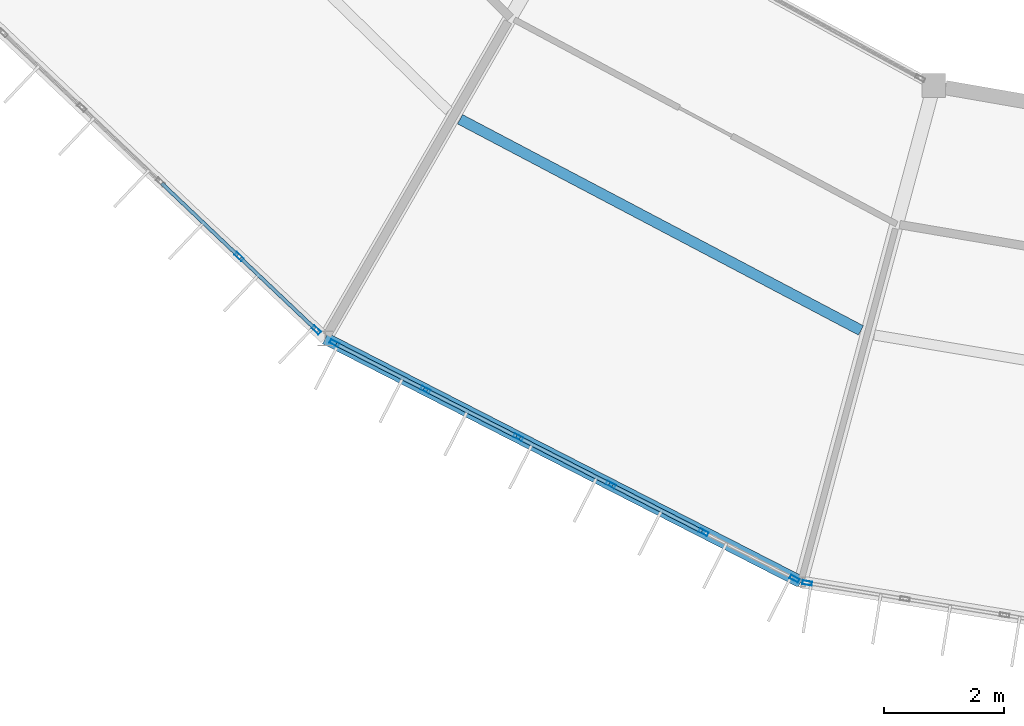
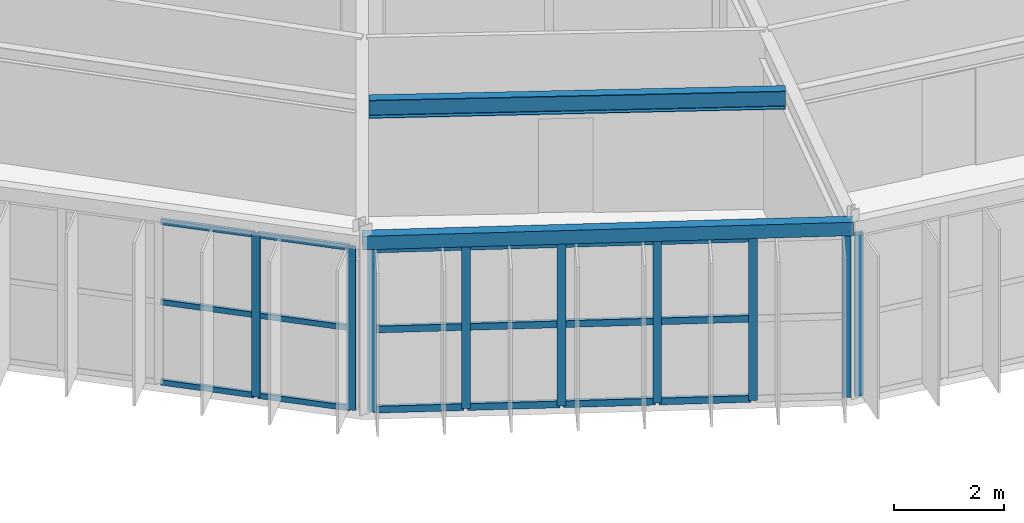
# One storey, part 31 of 157: 27 members, 2 beams, 3 elements without a shape of their own.
"""IFC4 building model written with IfcOpenShell, lengths in metres."""

from ifc_helpers import new_model, si_unit, direction, frame, origin, origin_2d, place, context, subcontext, project, spatial, hollow_rectangle, i_section, extrude, material, material_profile, profile_set, type_object, element, aggregate, save


model = new_model("IFC4")

# Units and contexts
model_context = context("Model", 3, precision=1e-05, world=origin(), true_north=direction((0.0, 1.0)))
body_context = subcontext(model_context, "Body", "Model", "MODEL_VIEW")
ifc_project = project(units=[si_unit("LENGTHUNIT", "METRE"), si_unit("AREAUNIT", "SQUARE_METRE"), si_unit("VOLUMEUNIT", "CUBIC_METRE"), si_unit("PLANEANGLEUNIT", "RADIAN"), si_unit("MASSUNIT", "GRAM", prefix="KILO")], contexts=[model_context])

# Site, building, storey
site_placement = place(None, origin())
site = spatial("IfcSite", under=ifc_project, at=site_placement, CompositionType="ELEMENT")
building_placement = place(site_placement, origin())
building = spatial("IfcBuilding", under=site, at=building_placement, Name="Karori Crest Natural Sciences Institute", CompositionType="ELEMENT")
storey_placement = place(building_placement, frame((0.0, 0.0, 13.300048828125)))
storey = spatial("IfcBuildingStorey", under=building, at=storey_placement, Name="L03", CompositionType="ELEMENT", Elevation=13.300048828125)

# Beams
ifc_material_1 = material(Name="Hollow structural steel AS/NZS 1163 Grade C350", Category="steel")
ifc_material_profile_1 = material_profile(ifc_material_1, hollow_rectangle(XDim=0.199951171875, YDim=0.300048828125, WallThickness=0.010009765625, at=origin_2d()), Name="RHS300x200x10")
ifc_profile_set_1 = profile_set([ifc_material_profile_1], Name="Hollow structural steel AS/NZS 1163 Grade C350")
beam_type_1 = type_object("IfcBeamType", Name="BT-15", PredefinedType="SPANDREL", material=ifc_profile_set_1)
beam_1_placement = place(storey_placement, frame((49.89990234375, 14.566162109375, 3.7900390625), z_axis=(0.890071733872, -0.455820478436, 0.0), x_axis=(0.455820478436, 0.890071733872, 0.0)))
element("IfcBeam", 1, at=beam_1_placement, inside=storey, type_object=beam_type_1, Name="Beam B-0420", PredefinedType="SPANDREL", context=body_context, shape_type="SweptSolid", body=[
    extrude(hollow_rectangle(XDim=0.199951171875, YDim=0.300048828125, WallThickness=0.010009765625, at=origin_2d()), origin(), (0.0, 0.0, 1.0), 8.94189453125),
])
ifc_material_2 = material(Name="Structural steel AS/NZS 3679.1 Grade 350", Category="steel")
ifc_material_profile_2 = material_profile(ifc_material_2, i_section(OverallWidth=0.177978515625, OverallDepth=0.403076171875, WebThickness=0.007568359375, FlangeThickness=0.010986328125, FilletRadius=0.010986328125, at=origin_2d()), Name="410UB53.7")
ifc_profile_set_2 = profile_set([ifc_material_profile_2], Name="Structural steel AS/NZS 3679.1 Grade 350")
beam_type_2 = type_object("IfcBeamType", Name="BT-29", PredefinedType="BEAM", material=ifc_profile_set_2)
beam_2_placement = place(storey_placement, frame((52.15625, 18.234130859375, 3.738525390625), z_axis=(0.884748465601, -0.466068828197, 0.0), x_axis=(0.466068828197, 0.884748465601, 0.0)))
element("IfcBeam", 2, at=beam_2_placement, inside=storey, type_object=beam_type_2, Name="Beam B-0423", PredefinedType="BEAM", context=body_context, shape_type="SweptSolid", body=[
    extrude(i_section(OverallWidth=0.177978515625, OverallDepth=0.403076171875, WebThickness=0.007568359375, FlangeThickness=0.010986328125, FilletRadius=0.010986328125, at=origin_2d()), origin(), (0.0, 0.0, 1.0), 7.58349609375),
])

# Curtain wall, members
ifc_material_3 = material(Name="Anodised architectural aluminium 6063-T6", Category="aluminium")
curtain_wall_type_1 = type_object("IfcCurtainWallType", Name="CWT-06", PredefinedType="NOTDEFINED", material=ifc_material_3)
curtain_wall_1_placement = place(storey_placement, origin())
curtain_wall_1 = element("IfcCurtainWall", 3, at=curtain_wall_1_placement, inside=storey, type_object=curtain_wall_type_1, Name="Curtain wall CW-0123", PredefinedType="NOTDEFINED")
ifc_material_profile_3 = material_profile(ifc_material_3, hollow_rectangle(XDim=0.06494140625, YDim=0.159912109375, WallThickness=0.00390625, at=origin_2d()), Name="CWM160x65x4")
ifc_profile_set_3 = profile_set([ifc_material_profile_3], Name="Anodised architectural aluminium 6063-T6")
member_type_1 = type_object("IfcMemberType", Name="CWM-01", PredefinedType="MULLION", material=ifc_profile_set_3)
member_1_placement = place(storey_placement, frame((49.750732421875, 14.707763671875, 0.0), z_axis=(0.0, 0.0, 1.0), x_axis=(-0.688252251648, -0.725471459192, 0.0)))
member_1 = element("IfcMember", 4, at=member_1_placement, type_object=member_type_1, Name="CW-0123 mullion 1", PredefinedType="MULLION", context=body_context, shape_type="SweptSolid", body=[
    extrude(hollow_rectangle(XDim=0.06494140625, YDim=0.159912109375, WallThickness=0.00390625, at=origin_2d()), origin(), (0.0, 0.0, 1.0), 3.625),
])
member_2_placement = place(storey_placement, frame((48.4580078125, 15.934326171875, 0.0), z_axis=(0.0, 0.0, 1.0), x_axis=(-0.688252251648, -0.725471459192, 0.0)))
member_2 = element("IfcMember", 5, at=member_2_placement, type_object=member_type_1, Name="CW-0123 mullion 2", PredefinedType="MULLION", context=body_context, shape_type="SweptSolid", body=[
    extrude(hollow_rectangle(XDim=0.06494140625, YDim=0.159912109375, WallThickness=0.00390625, at=origin_2d()), origin(), (0.0, 0.0, 1.0), 3.625),
])

curtain_wall_type_2 = type_object("IfcCurtainWallType", Name="CWT-07", PredefinedType="NOTDEFINED", material=ifc_material_3)
curtain_wall_2_placement = place(storey_placement, origin())
curtain_wall_2 = element("IfcCurtainWall", 6, at=curtain_wall_2_placement, inside=storey, type_object=curtain_wall_type_2, Name="Curtain wall CW-0124", PredefinedType="NOTDEFINED")
member_3_placement = place(storey_placement, frame((57.7548828125, 10.54345703125, 0.0), z_axis=(0.0, 0.0, 1.0), x_axis=(-0.455828878252, -0.890067432138, 0.0)))
member_3 = element("IfcMember", 7, at=member_3_placement, type_object=member_type_1, Name="CW-0124 mullion 1", PredefinedType="MULLION", context=body_context, shape_type="SweptSolid", body=[
    extrude(hollow_rectangle(XDim=0.06494140625, YDim=0.159912109375, WallThickness=0.00390625, at=origin_2d()), origin(), (0.0, 0.0, 1.0), 3.625),
])
member_4_placement = place(storey_placement, frame((56.232177734375, 11.323486328125, 0.0), z_axis=(0.0, 0.0, 1.0), x_axis=(-0.455828878252, -0.890067432138, 0.0)))
member_4 = element("IfcMember", 8, at=member_4_placement, type_object=member_type_1, Name="CW-0124 mullion 2", PredefinedType="MULLION", context=body_context, shape_type="SweptSolid", body=[
    extrude(hollow_rectangle(XDim=0.06494140625, YDim=0.159912109375, WallThickness=0.00390625, at=origin_2d()), origin(), (0.0, 0.0, 1.0), 3.625),
])
member_5_placement = place(storey_placement, frame((54.680419921875, 12.1181640625, 0.0), z_axis=(0.0, 0.0, 1.0), x_axis=(-0.455828878252, -0.890067432138, 0.0)))
member_5 = element("IfcMember", 9, at=member_5_placement, type_object=member_type_1, Name="CW-0124 mullion 3", PredefinedType="MULLION", context=body_context, shape_type="SweptSolid", body=[
    extrude(hollow_rectangle(XDim=0.06494140625, YDim=0.159912109375, WallThickness=0.00390625, at=origin_2d()), origin(), (0.0, 0.0, 1.0), 3.625),
])
member_6_placement = place(storey_placement, frame((53.128662109375, 12.912841796875, 0.0), z_axis=(0.0, 0.0, 1.0), x_axis=(-0.455828878252, -0.890067432138, 0.0)))
member_6 = element("IfcMember", 10, at=member_6_placement, type_object=member_type_1, Name="CW-0124 mullion 4", PredefinedType="MULLION", context=body_context, shape_type="SweptSolid", body=[
    extrude(hollow_rectangle(XDim=0.06494140625, YDim=0.159912109375, WallThickness=0.00390625, at=origin_2d()), origin(), (0.0, 0.0, 1.0), 3.625),
])
member_7_placement = place(storey_placement, frame((51.576904296875, 13.70751953125, 0.0), z_axis=(0.0, 0.0, 1.0), x_axis=(-0.455828878252, -0.890067432138, 0.0)))
member_7 = element("IfcMember", 11, at=member_7_placement, type_object=member_type_1, Name="CW-0124 mullion 5", PredefinedType="MULLION", context=body_context, shape_type="SweptSolid", body=[
    extrude(hollow_rectangle(XDim=0.06494140625, YDim=0.159912109375, WallThickness=0.00390625, at=origin_2d()), origin(), (0.0, 0.0, 1.0), 3.625),
])
member_8_placement = place(storey_placement, frame((50.05419921875, 14.4873046875, 0.0), z_axis=(0.0, 0.0, 1.0), x_axis=(-0.455828878252, -0.890067432138, 0.0)))
member_8 = element("IfcMember", 12, at=member_8_placement, type_object=member_type_1, Name="CW-0124 mullion 6", PredefinedType="MULLION", context=body_context, shape_type="SweptSolid", body=[
    extrude(hollow_rectangle(XDim=0.06494140625, YDim=0.159912109375, WallThickness=0.00390625, at=origin_2d()), origin(), (0.0, 0.0, 1.0), 3.625),
])

# Curtain wall, member
curtain_wall_type_3 = type_object("IfcCurtainWallType", Name="CWT-08", PredefinedType="NOTDEFINED", material=ifc_material_3)
curtain_wall_3_placement = place(storey_placement, origin())
curtain_wall_3 = element("IfcCurtainWall", 13, at=curtain_wall_3_placement, inside=storey, type_object=curtain_wall_type_3, Name="Curtain wall CW-0126", PredefinedType="NOTDEFINED")
member_9_placement = place(storey_placement, frame((57.966064453125, 10.472900390625, 0.0), z_axis=(0.0, 0.0, 1.0), x_axis=(-0.160655493101, -0.987010543275, 0.0)))
member_9 = element("IfcMember", 14, at=member_9_placement, type_object=member_type_1, Name="CW-0126 mullion 6", PredefinedType="MULLION", context=body_context, shape_type="SweptSolid", body=[
    extrude(hollow_rectangle(XDim=0.06494140625, YDim=0.159912109375, WallThickness=0.00390625, at=origin_2d()), origin(), (0.0, 0.0, 1.0), 3.625),
])
aggregate(curtain_wall_3, [member_9])

# Member
ifc_material_profile_4 = material_profile(ifc_material_3, hollow_rectangle(XDim=0.06005859375, YDim=0.1201171875, WallThickness=0.00390625, at=origin_2d()), Name="CWT120x60x4")
ifc_profile_set_4 = profile_set([ifc_material_profile_4], Name="Anodised architectural aluminium 6063-T6")
member_type_2 = type_object("IfcMemberType", Name="CWT-TR1", PredefinedType="USERDEFINED", material=ifc_profile_set_4)
member_10_placement = place(storey_placement, frame((49.727294921875, 14.72998046875, 0.030029296875), z_axis=(-0.725485539939, 0.68823740914, 0.0), x_axis=(-0.68823740914, -0.725485539939, 0.0)))
member_10 = element("IfcMember", 15, at=member_10_placement, type_object=member_type_2, Name="CW-0123 transom 1.1", ObjectType="TRANSOM", PredefinedType="USERDEFINED", context=body_context, shape_type="SweptSolid", body=[
    extrude(hollow_rectangle(XDim=0.06005859375, YDim=0.1201171875, WallThickness=0.00390625, at=origin_2d()), origin(), (0.0, 0.0, 1.0), 1.71728515625),
])

member_11_placement = place(storey_placement, frame((49.727294921875, 14.72998046875, 1.8125), z_axis=(-0.725485539939, 0.68823740914, 0.0), x_axis=(-0.68823740914, -0.725485539939, 0.0)))
member_11 = element("IfcMember", 16, at=member_11_placement, type_object=member_type_2, Name="CW-0123 transom 1.2", ObjectType="TRANSOM", PredefinedType="USERDEFINED", context=body_context, shape_type="SweptSolid", body=[
    extrude(hollow_rectangle(XDim=0.06005859375, YDim=0.1201171875, WallThickness=0.00390625, at=origin_2d()), origin(), (0.0, 0.0, 1.0), 1.71728515625),
])

member_12_placement = place(storey_placement, frame((49.727294921875, 14.72998046875, 3.594970703125), z_axis=(-0.725485539939, 0.68823740914, 0.0), x_axis=(-0.68823740914, -0.725485539939, 0.0)))
member_12 = element("IfcMember", 17, at=member_12_placement, type_object=member_type_2, Name="CW-0123 transom 1.3", ObjectType="TRANSOM", PredefinedType="USERDEFINED", context=body_context, shape_type="SweptSolid", body=[
    extrude(hollow_rectangle(XDim=0.06005859375, YDim=0.1201171875, WallThickness=0.00390625, at=origin_2d()), origin(), (0.0, 0.0, 1.0), 1.71728515625),
])

member_13_placement = place(storey_placement, frame((48.434326171875, 15.95654296875, 0.030029296875), z_axis=(-0.725420823959, 0.688305621194, 0.0), x_axis=(-0.688305621194, -0.725420823959, 0.0)))
member_13 = element("IfcMember", 18, at=member_13_placement, type_object=member_type_2, Name="CW-0123 transom 2.1", ObjectType="TRANSOM", PredefinedType="USERDEFINED", context=body_context, shape_type="SweptSolid", body=[
    extrude(hollow_rectangle(XDim=0.06005859375, YDim=0.1201171875, WallThickness=0.00390625, at=origin_2d()), origin(), (0.0, 0.0, 1.0), 1.749755859375),
])

member_14_placement = place(storey_placement, frame((48.434326171875, 15.95654296875, 1.8125), z_axis=(-0.725420823959, 0.688305621194, 0.0), x_axis=(-0.688305621194, -0.725420823959, 0.0)))
member_14 = element("IfcMember", 19, at=member_14_placement, type_object=member_type_2, Name="CW-0123 transom 2.2", ObjectType="TRANSOM", PredefinedType="USERDEFINED", context=body_context, shape_type="SweptSolid", body=[
    extrude(hollow_rectangle(XDim=0.06005859375, YDim=0.1201171875, WallThickness=0.00390625, at=origin_2d()), origin(), (0.0, 0.0, 1.0), 1.749755859375),
])

member_15_placement = place(storey_placement, frame((48.434326171875, 15.95654296875, 3.594970703125), z_axis=(-0.725420823959, 0.688305621194, 0.0), x_axis=(-0.688305621194, -0.725420823959, 0.0)))
member_15 = element("IfcMember", 20, at=member_15_placement, type_object=member_type_2, Name="CW-0123 transom 2.3", ObjectType="TRANSOM", PredefinedType="USERDEFINED", context=body_context, shape_type="SweptSolid", body=[
    extrude(hollow_rectangle(XDim=0.06005859375, YDim=0.1201171875, WallThickness=0.00390625, at=origin_2d()), origin(), (0.0, 0.0, 1.0), 1.749755859375),
])

aggregate(curtain_wall_1, [member_1, member_2, member_10, member_11, member_12, member_13, member_14, member_15])

ifc_material_profile_5 = material_profile(ifc_material_3, hollow_rectangle(XDim=0.06494140625, YDim=0.14990234375, WallThickness=0.00390625, at=origin_2d()), Name="CWT150x65x4")
ifc_profile_set_5 = profile_set([ifc_material_profile_5], Name="Anodised architectural aluminium 6063-T6")
member_type_3 = type_object("IfcMemberType", Name="CWT-TR2", PredefinedType="USERDEFINED", material=ifc_profile_set_5)
member_16_placement = place(storey_placement, frame((56.203125, 11.338134765625, 0.032470703125), z_axis=(-0.890050562189, 0.455861817601, 0.0), x_axis=(-0.455861817601, -0.890050562189, 0.0)))
member_16 = element("IfcMember", 21, at=member_16_placement, type_object=member_type_3, Name="CW-0124 transom 2.1", ObjectType="TRANSOM", PredefinedType="USERDEFINED", context=body_context, shape_type="SweptSolid", body=[
    extrude(hollow_rectangle(XDim=0.06494140625, YDim=0.14990234375, WallThickness=0.00390625, at=origin_2d()), origin(), (0.0, 0.0, 1.0), 1.678466796875),
])

member_17_placement = place(storey_placement, frame((56.203125, 11.338134765625, 1.8125), z_axis=(-0.890050562189, 0.455861817601, 0.0), x_axis=(-0.455861817601, -0.890050562189, 0.0)))
member_17 = element("IfcMember", 22, at=member_17_placement, type_object=member_type_3, Name="CW-0124 transom 2.2", ObjectType="TRANSOM", PredefinedType="USERDEFINED", context=body_context, shape_type="SweptSolid", body=[
    extrude(hollow_rectangle(XDim=0.06494140625, YDim=0.14990234375, WallThickness=0.00390625, at=origin_2d()), origin(), (0.0, 0.0, 1.0), 1.678466796875),
])

member_18_placement = place(storey_placement, frame((56.203125, 11.338134765625, 3.592529296875), z_axis=(-0.890050562189, 0.455861817601, 0.0), x_axis=(-0.455861817601, -0.890050562189, 0.0)))
member_18 = element("IfcMember", 23, at=member_18_placement, type_object=member_type_3, Name="CW-0124 transom 2.3", ObjectType="TRANSOM", PredefinedType="USERDEFINED", context=body_context, shape_type="SweptSolid", body=[
    extrude(hollow_rectangle(XDim=0.06494140625, YDim=0.14990234375, WallThickness=0.00390625, at=origin_2d()), origin(), (0.0, 0.0, 1.0), 1.678466796875),
])

member_19_placement = place(storey_placement, frame((54.6513671875, 12.1328125, 0.032470703125), z_axis=(-0.890050562189, 0.455861817601, 0.0), x_axis=(-0.455861817601, -0.890050562189, 0.0)))
member_19 = element("IfcMember", 24, at=member_19_placement, type_object=member_type_3, Name="CW-0124 transom 3.1", ObjectType="TRANSOM", PredefinedType="USERDEFINED", context=body_context, shape_type="SweptSolid", body=[
    extrude(hollow_rectangle(XDim=0.06494140625, YDim=0.14990234375, WallThickness=0.00390625, at=origin_2d()), origin(), (0.0, 0.0, 1.0), 1.678466796875),
])

member_20_placement = place(storey_placement, frame((54.6513671875, 12.1328125, 1.8125), z_axis=(-0.890050562189, 0.455861817601, 0.0), x_axis=(-0.455861817601, -0.890050562189, 0.0)))
member_20 = element("IfcMember", 25, at=member_20_placement, type_object=member_type_3, Name="CW-0124 transom 3.2", ObjectType="TRANSOM", PredefinedType="USERDEFINED", context=body_context, shape_type="SweptSolid", body=[
    extrude(hollow_rectangle(XDim=0.06494140625, YDim=0.14990234375, WallThickness=0.00390625, at=origin_2d()), origin(), (0.0, 0.0, 1.0), 1.678466796875),
])

member_21_placement = place(storey_placement, frame((54.6513671875, 12.1328125, 3.592529296875), z_axis=(-0.890050562189, 0.455861817601, 0.0), x_axis=(-0.455861817601, -0.890050562189, 0.0)))
member_21 = element("IfcMember", 26, at=member_21_placement, type_object=member_type_3, Name="CW-0124 transom 3.3", ObjectType="TRANSOM", PredefinedType="USERDEFINED", context=body_context, shape_type="SweptSolid", body=[
    extrude(hollow_rectangle(XDim=0.06494140625, YDim=0.14990234375, WallThickness=0.00390625, at=origin_2d()), origin(), (0.0, 0.0, 1.0), 1.678466796875),
])

member_22_placement = place(storey_placement, frame((53.099609375, 12.927490234375, 0.032470703125), z_axis=(-0.890020328927, 0.455920841919, 0.0), x_axis=(-0.455920841919, -0.890020328927, 0.0)))
member_22 = element("IfcMember", 27, at=member_22_placement, type_object=member_type_3, Name="CW-0124 transom 4.1", ObjectType="TRANSOM", PredefinedType="USERDEFINED", context=body_context, shape_type="SweptSolid", body=[
    extrude(hollow_rectangle(XDim=0.06494140625, YDim=0.14990234375, WallThickness=0.00390625, at=origin_2d()), origin(), (0.0, 0.0, 1.0), 1.67822265625),
])

member_23_placement = place(storey_placement, frame((53.099609375, 12.927490234375, 1.8125), z_axis=(-0.890020328927, 0.455920841919, 0.0), x_axis=(-0.455920841919, -0.890020328927, 0.0)))
member_23 = element("IfcMember", 28, at=member_23_placement, type_object=member_type_3, Name="CW-0124 transom 4.2", ObjectType="TRANSOM", PredefinedType="USERDEFINED", context=body_context, shape_type="SweptSolid", body=[
    extrude(hollow_rectangle(XDim=0.06494140625, YDim=0.14990234375, WallThickness=0.00390625, at=origin_2d()), origin(), (0.0, 0.0, 1.0), 1.67822265625),
])

member_24_placement = place(storey_placement, frame((53.099609375, 12.927490234375, 3.592529296875), z_axis=(-0.890020328927, 0.455920841919, 0.0), x_axis=(-0.455920841919, -0.890020328927, 0.0)))
member_24 = element("IfcMember", 29, at=member_24_placement, type_object=member_type_3, Name="CW-0124 transom 4.3", ObjectType="TRANSOM", PredefinedType="USERDEFINED", context=body_context, shape_type="SweptSolid", body=[
    extrude(hollow_rectangle(XDim=0.06494140625, YDim=0.14990234375, WallThickness=0.00390625, at=origin_2d()), origin(), (0.0, 0.0, 1.0), 1.67822265625),
])

member_25_placement = place(storey_placement, frame((51.548095703125, 13.72216796875, 0.032470703125), z_axis=(-0.890084461025, 0.455795625518, 0.0), x_axis=(-0.455795625518, -0.890084461025, 0.0)))
member_25 = element("IfcMember", 30, at=member_25_placement, type_object=member_type_3, Name="CW-0124 transom 5.1", ObjectType="TRANSOM", PredefinedType="USERDEFINED", context=body_context, shape_type="SweptSolid", body=[
    extrude(hollow_rectangle(XDim=0.06494140625, YDim=0.14990234375, WallThickness=0.00390625, at=origin_2d()), origin(), (0.0, 0.0, 1.0), 1.64599609375),
])

member_26_placement = place(storey_placement, frame((51.548095703125, 13.72216796875, 1.8125), z_axis=(-0.890084461025, 0.455795625518, 0.0), x_axis=(-0.455795625518, -0.890084461025, 0.0)))
member_26 = element("IfcMember", 31, at=member_26_placement, type_object=member_type_3, Name="CW-0124 transom 5.2", ObjectType="TRANSOM", PredefinedType="USERDEFINED", context=body_context, shape_type="SweptSolid", body=[
    extrude(hollow_rectangle(XDim=0.06494140625, YDim=0.14990234375, WallThickness=0.00390625, at=origin_2d()), origin(), (0.0, 0.0, 1.0), 1.64599609375),
])

member_27_placement = place(storey_placement, frame((51.548095703125, 13.72216796875, 3.592529296875), z_axis=(-0.890084461025, 0.455795625518, 0.0), x_axis=(-0.455795625518, -0.890084461025, 0.0)))
member_27 = element("IfcMember", 32, at=member_27_placement, type_object=member_type_3, Name="CW-0124 transom 5.3", ObjectType="TRANSOM", PredefinedType="USERDEFINED", context=body_context, shape_type="SweptSolid", body=[
    extrude(hollow_rectangle(XDim=0.06494140625, YDim=0.14990234375, WallThickness=0.00390625, at=origin_2d()), origin(), (0.0, 0.0, 1.0), 1.64599609375),
])

aggregate(curtain_wall_2, [member_3, member_4, member_5, member_6, member_7, member_8, member_16, member_17, member_18, member_19, member_20, member_21, member_22, member_23, member_24, member_25, member_26, member_27])

save(model, "model.ifc")
